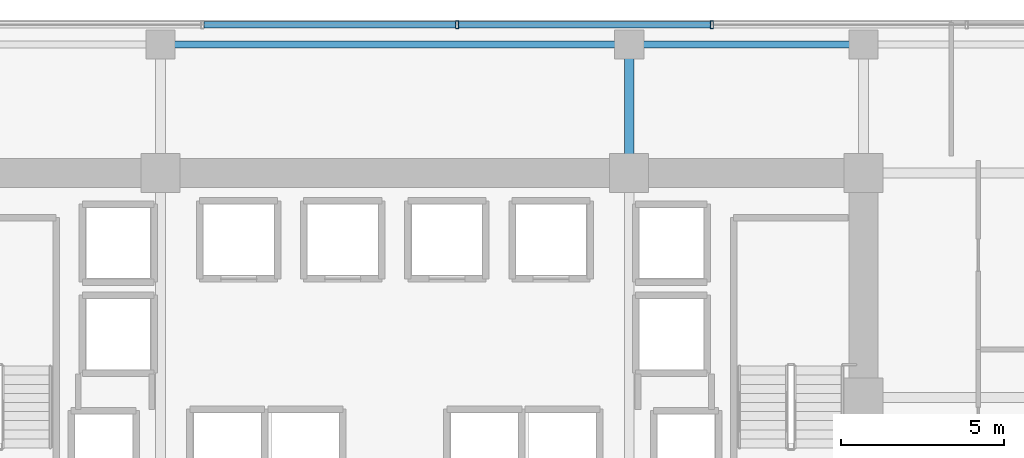
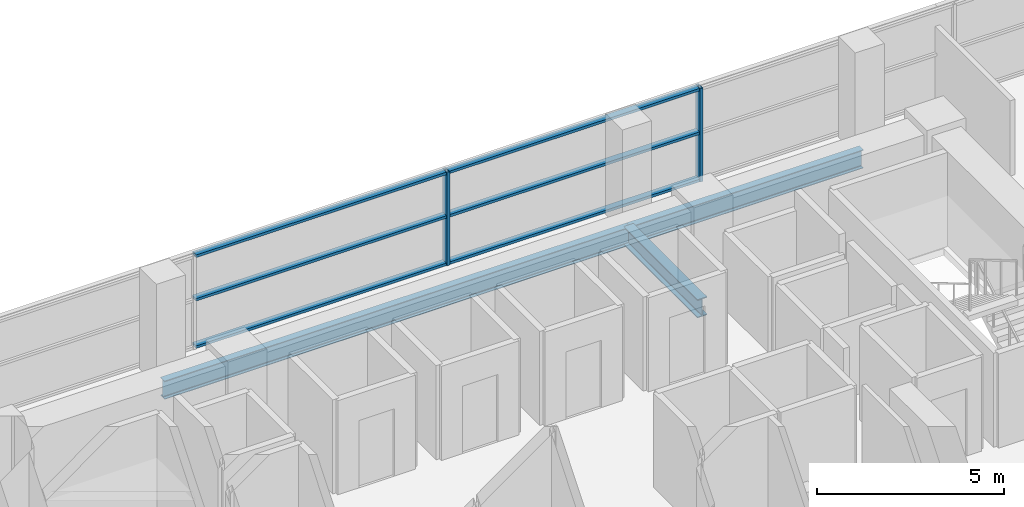
# One storey, part 19 of 31: 8 members, 3 beams, 1 element without a shape of its own.
"""IFC4 building model written with IfcOpenShell, lengths in metres."""

import ifcopenshell
import ifcopenshell.guid

model = None  # the IFC model being written
_history = None  # IfcOwnerHistory: only IFC2X3 demands one
_inside = {}  # id of a spatial element -> (the spatial element, [elements in it])
_under = {}  # id of a project, library or spatial element -> (it, [spatial elements below it])
_declared = {}  # id of a project -> (the project, [libraries it declares])
_typed = {}  # id of a type object -> (the type object, [elements of that type])
_made_of = {}  # id of a material, layer set ... -> (it, [elements and type objects made of it])


def new_model(schema):
    """Start an empty IFC model of exactly this schema.

    Asked for "IFC4X3", IfcOpenShell would pick the latest addendum, in which some entities
    have other attributes; the version numbers below select the first issue.
    IFC2X3 requires an IfcOwnerHistory on every rooted entity: one is made here for all.
    """
    global model, _history
    if schema == "IFC4X3":
        model = ifcopenshell.file(schema_version=(4, 3, 0, 0))
    else:
        model = ifcopenshell.file(schema=schema)
    _inside.clear()
    _under.clear()
    _declared.clear()
    _typed.clear()
    _made_of.clear()
    _history = None
    if model.schema == "IFC2X3":
        org = make("IfcOrganization", Name="unknown")
        user = make(
            "IfcPersonAndOrganization",
            ThePerson=make("IfcPerson", FamilyName="unknown"),
            TheOrganization=org,
        )
        app = make(
            "IfcApplication",
            ApplicationDeveloper=org,
            Version="unknown",
            ApplicationFullName="unknown",
            ApplicationIdentifier="unknown",
        )
        _history = make(
            "IfcOwnerHistory",
            OwningUser=user,
            OwningApplication=app,
            ChangeAction="ADDED",
            CreationDate=0,
        )
    return model


def make(cls, **values):
    """One entity of the class cls with the attributes given. An attribute that is None is left unset."""
    return model.create_entity(
        cls, **{name: value for name, value in values.items() if value is not None}
    )


def rooted(cls, **values):
    """An entity with a GlobalId (a new one), such as an element, a storey or a relation."""
    return make(cls, GlobalId=ifcopenshell.guid.new(), OwnerHistory=_history, **values)


def si_unit(unit_type, name, prefix=None):
    """IfcSIUnit, for example si_unit("LENGTHUNIT", "METRE", prefix="MILLI")."""
    return make("IfcSIUnit", UnitType=unit_type, Prefix=prefix, Name=name)


def assignment(units):
    """IfcUnitAssignment: the units of a project."""
    return None if units is None else make("IfcUnitAssignment", Units=units)


def point(xyz):
    """IfcCartesianPoint."""
    return None if xyz is None else make("IfcCartesianPoint", Coordinates=xyz)


def direction(xyz):
    """IfcDirection."""
    return None if xyz is None else make("IfcDirection", DirectionRatios=xyz)


def frame(location, z_axis=None, x_axis=None):
    """IfcAxis2Placement3D, a coordinate frame: its origin and axes. An axis left out is left unset."""
    return make(
        "IfcAxis2Placement3D",
        Location=point(location),
        Axis=direction(z_axis),
        RefDirection=direction(x_axis),
    )


def frame_2d(location, x_axis=None):
    """IfcAxis2Placement2D, a coordinate frame in the plane: its origin and x axis."""
    return make(
        "IfcAxis2Placement2D", Location=point(location), RefDirection=direction(x_axis)
    )


def origin():
    """The frame at (0, 0, 0) with its axes left unset."""
    return frame((0.0, 0.0, 0.0))


def origin_2d():
    """The frame at (0, 0) in the plane with its x axis left unset."""
    return frame_2d((0.0, 0.0))


def place(relative_to, where):
    """IfcLocalPlacement: puts the frame where relative to a parent placement (None: the world)."""
    return make(
        "IfcLocalPlacement", PlacementRelTo=relative_to, RelativePlacement=where
    )


def context(
    kind, dimensions, precision=None, world=None, true_north=None, identifier=None
):
    """IfcGeometricRepresentationContext, for example the 3D "Model" context."""
    return make(
        "IfcGeometricRepresentationContext",
        ContextIdentifier=identifier,
        ContextType=kind,
        CoordinateSpaceDimension=dimensions,
        Precision=precision,
        WorldCoordinateSystem=world,
        TrueNorth=true_north,
    )


def subcontext(parent, identifier, kind, view, scale=None):
    """IfcGeometricRepresentationSubContext, for example "Body" below "Model"."""
    return make(
        "IfcGeometricRepresentationSubContext",
        ContextIdentifier=identifier,
        ContextType=kind,
        ParentContext=parent,
        TargetScale=scale,
        TargetView=view,
    )


def project(units=None, contexts=None):
    """IfcProject with its units and contexts."""
    return rooted(
        "IfcProject",
        Name="project",
        RepresentationContexts=contexts,
        UnitsInContext=assignment(units),
    )


def spatial(cls, under=None, at=None, **own):
    """A site, building, storey or space (cls), placed at a placement, below another one or the project."""
    s = rooted(cls, ObjectPlacement=at, **own)
    if under is not None:
        _under.setdefault(under.id(), (under, []))[1].append(s)
    return s


def profile(cls, at=None, kind="AREA", **sizes):
    """A parametric profile (cls). Its sizes go by their IFC names, for example OverallWidth=200.0."""
    return make(cls, ProfileType=kind, Position=at, **sizes)


def hollow_rectangle(**sizes):
    """IfcRectangleHollowProfileDef."""
    return profile("IfcRectangleHollowProfileDef", **sizes)


def i_section(**sizes):
    """IfcIShapeProfileDef."""
    return profile("IfcIShapeProfileDef", **sizes)


def extrude(swept, where, along, depth):
    """IfcExtrudedAreaSolid: the profile swept, set in the frame where, extruded along a direction by depth."""
    return make(
        "IfcExtrudedAreaSolid",
        SweptArea=swept,
        Position=where,
        ExtrudedDirection=direction(along),
        Depth=depth,
    )


def shape(context_of_items, identifier, shape_type, items):
    """IfcShapeRepresentation: the items that make up one representation, for example the "Body"."""
    return make(
        "IfcShapeRepresentation",
        ContextOfItems=context_of_items,
        RepresentationIdentifier=identifier,
        RepresentationType=shape_type,
        Items=items,
    )


def source(mapping_origin, context_of_items, identifier, shape_type, items):
    """IfcRepresentationMap: a shape defined once, which mapped items show again and again."""
    return make(
        "IfcRepresentationMap",
        MappingOrigin=mapping_origin,
        MappedRepresentation=shape(context_of_items, identifier, shape_type, items),
    )


def transform(
    local_origin,
    x_axis=None,
    y_axis=None,
    z_axis=None,
    scale=None,
    scale2=None,
    scale3=None,
    uniform=True,
):
    """IfcCartesianTransformationOperator3D, or its non-uniform kind. x_axis, y_axis, z_axis: its Axis1, 2, 3."""
    if uniform:
        return make(
            "IfcCartesianTransformationOperator3D",
            Axis1=direction(x_axis),
            Axis2=direction(y_axis),
            LocalOrigin=point(local_origin),
            Scale=scale,
            Axis3=direction(z_axis),
        )
    return make(
        "IfcCartesianTransformationOperator3DnonUniform",
        Axis1=direction(x_axis),
        Axis2=direction(y_axis),
        LocalOrigin=point(local_origin),
        Scale=scale,
        Axis3=direction(z_axis),
        Scale2=scale2,
        Scale3=scale3,
    )


def mapped(mapping_source, mapping_target):
    """IfcMappedItem: shows the shape of a source again, moved by a transform."""
    return make(
        "IfcMappedItem", MappingSource=mapping_source, MappingTarget=mapping_target
    )


def material(Name=None, Category=None):
    """IfcMaterial."""
    return make("IfcMaterial", Name=Name, Category=Category)


def layer(
    of_material, thickness, ventilated=None, Name=None, Category=None, Priority=None
):
    """IfcMaterialLayer: one layer of a wall or slab, of a material (None: an air gap)."""
    return make(
        "IfcMaterialLayer",
        Material=of_material,
        LayerThickness=thickness,
        IsVentilated=ventilated,
        Name=Name,
        Category=Category,
        Priority=Priority,
    )


def layer_set(layers, Name=None):
    """IfcMaterialLayerSet."""
    return make("IfcMaterialLayerSet", MaterialLayers=layers, LayerSetName=Name)


def material_profile(
    of_material, cross_section, Name=None, Category=None, Priority=None
):
    """IfcMaterialProfile: a cross section and its material."""
    return make(
        "IfcMaterialProfile",
        Name=Name,
        Material=of_material,
        Profile=cross_section,
        Priority=Priority,
        Category=Category,
    )


def profile_set(profiles, Name=None, composite=None):
    """IfcMaterialProfileSet."""
    return make(
        "IfcMaterialProfileSet",
        Name=Name,
        MaterialProfiles=profiles,
        CompositeProfile=composite,
    )


def made_of(thing, what):
    """Note that an element or type object is made of a material, layer set ...; save() writes the relation."""
    if what is not None:
        _made_of.setdefault(what.id(), (what, []))[1].append(thing)
    return thing


def type_object(cls, material=None, **own):
    """A type object (cls), such as IfcWallType, which elements share."""
    return made_of(rooted(cls, **own), material)


def element(
    cls,
    number,
    at=None,
    inside=None,
    cuts=None,
    type_object=None,
    material=None,
    context=None,
    identifier="Body",
    shape_type=None,
    held_by="IfcProductDefinitionShape",
    body=None,
    shapes=None,
    **own,
):
    """One element of the class cls, such as IfcWall. Its Tag is "e" and its number.

    at: its placement. inside: the storey or other place that contains it. cuts: it is an
    opening in that element (IfcRelVoidsElement). A single representation is given by context,
    identifier, shape_type and body (its items); several are given by shapes. held_by: the class
    of the entity that holds the representations. save() writes the other relations.
    """
    e = rooted(cls, Tag="e%d" % number, ObjectPlacement=at, **own)
    if body is not None:
        shapes = [shape(context, identifier, shape_type, body)]
    if shapes is not None:
        e.Representation = make(held_by, Representations=shapes)
    if inside is not None:
        _inside.setdefault(inside.id(), (inside, []))[1].append(e)
    if cuts is not None:
        rooted(
            "IfcRelVoidsElement", RelatingBuildingElement=cuts, RelatedOpeningElement=e
        )
    if type_object is not None:
        _typed.setdefault(type_object.id(), (type_object, []))[1].append(e)
    return made_of(e, material)


def aggregate(whole, parts):
    """IfcRelAggregates: a whole, such as a stair, and the parts it consists of."""
    return rooted("IfcRelAggregates", RelatingObject=whole, RelatedObjects=parts)


def save(model, path):
    """Write the relations noted so far, then the file.

    IfcRelAggregates (storeys below a building ...), IfcRelContainedInSpatialStructure (elements
    in a storey), IfcRelDefinesByType, IfcRelAssociatesMaterial and IfcRelDeclares: one each for
    every whole, place, type object, material and project.
    """
    for whole, parts in _under.values():
        aggregate(whole, parts)
    for where, things in _inside.values():
        rooted(
            "IfcRelContainedInSpatialStructure",
            RelatedElements=things,
            RelatingStructure=where,
        )
    for kind, things in _typed.values():
        rooted("IfcRelDefinesByType", RelatedObjects=things, RelatingType=kind)
    for what, things in _made_of.values():
        rooted("IfcRelAssociatesMaterial", RelatedObjects=things, RelatingMaterial=what)
    for by, libraries in _declared.values():
        rooted("IfcRelDeclares", RelatingContext=by, RelatedDefinitions=libraries)
    model.write(path)


model = new_model("IFC4")

# Units and contexts
model_context = context("Model", 3, precision=1e-05, world=origin(), true_north=direction((0.0, 1.0)))
body_context = subcontext(model_context, "Body", "Model", "MODEL_VIEW")
ifc_project = project(units=[si_unit("LENGTHUNIT", "METRE"), si_unit("AREAUNIT", "SQUARE_METRE"), si_unit("VOLUMEUNIT", "CUBIC_METRE"), si_unit("PLANEANGLEUNIT", "RADIAN"), si_unit("MASSUNIT", "GRAM", prefix="KILO")], contexts=[model_context])

# Site, building, storey
site_placement = place(None, origin())
site = spatial("IfcSite", under=ifc_project, at=site_placement, CompositionType="ELEMENT")
building_placement = place(site_placement, origin())
building = spatial("IfcBuilding", under=site, at=building_placement, Name="Zarnakvel Exchange Tower", CompositionType="ELEMENT")
storey_placement = place(building_placement, frame((0.0, 0.0, 47.199951171875)))
storey = spatial("IfcBuildingStorey", under=building, at=storey_placement, Name="L12", CompositionType="ELEMENT", Elevation=47.199951171875)

# Beams
ifc_material_1 = material(Name="Steel S355", Category="steel")
ifc_material_profile_1 = material_profile(ifc_material_1, i_section(OverallWidth=0.300048828125, OverallDepth=0.60009765625, WebThickness=0.015380859375, FlangeThickness=0.030029296875, FilletRadius=0.027099609375, at=origin_2d()))
ifc_profile_set_1 = profile_set([ifc_material_profile_1], Name="Steel S355")
beam_type_1 = type_object("IfcBeamType", Name="G-04", PredefinedType="BEAM", material=ifc_profile_set_1)
beam_1_placement = place(storey_placement, frame((7.199951171875, 13.5, -0.52490234375), z_axis=(0.0, 1.0, 0.0), x_axis=(-1.0, 0.0, 0.0)))
element("IfcBeam", 1, at=beam_1_placement, inside=storey, type_object=beam_type_1, Name="L12 Tower N-S Frame Beam", PredefinedType="BEAM", context=body_context, shape_type="SweptSolid", body=[
    extrude(i_section(OverallWidth=0.300048828125, OverallDepth=0.60009765625, WebThickness=0.015380859375, FlangeThickness=0.030029296875, FilletRadius=0.027099609375, at=origin_2d()), origin(), (0.0, 0.0, 1.0), 3.949951171875),
])
ifc_material_profile_2 = material_profile(ifc_material_1, i_section(OverallWidth=0.219970703125, OverallDepth=0.60009765625, WebThickness=0.011962890625, FlangeThickness=0.01904296875, FilletRadius=0.02392578125, at=origin_2d()))
ifc_profile_set_2 = profile_set([ifc_material_profile_2], Name="Steel S355")
beam_type_2 = type_object("IfcBeamType", Name="SP-01", PredefinedType="SPANDREL", material=ifc_profile_set_2)
beam_2_placement = place(storey_placement, frame((-7.199951171875, 17.449951171875, -0.52490234375), z_axis=(1.0, 0.0, 0.0), x_axis=(0.0, 1.0, 0.0)))
element("IfcBeam", 2, at=beam_2_placement, inside=storey, type_object=beam_type_2, Name="L12 Tower E-W Frame Beam", PredefinedType="SPANDREL", context=body_context, shape_type="SweptSolid", body=[
    extrude(i_section(OverallWidth=0.219970703125, OverallDepth=0.60009765625, WebThickness=0.011962890625, FlangeThickness=0.01904296875, FilletRadius=0.02392578125, at=origin_2d()), origin(), (0.0, 0.0, 1.0), 14.39990234375),
])
beam_3_placement = place(storey_placement, frame((7.199951171875, 17.449951171875, -0.52490234375), z_axis=(1.0, 0.0, 0.0), x_axis=(0.0, 1.0, 0.0)))
element("IfcBeam", 3, at=beam_3_placement, inside=storey, type_object=beam_type_2, Name="L12 Tower E-W Frame Beam", PredefinedType="SPANDREL", context=body_context, shape_type="SweptSolid", body=[
    extrude(i_section(OverallWidth=0.219970703125, OverallDepth=0.60009765625, WebThickness=0.011962890625, FlangeThickness=0.01904296875, FilletRadius=0.02392578125, at=origin_2d()), origin(), (0.0, 0.0, 1.0), 7.199951171875),
])

# Curtain wall, members
ifc_material_2 = material(Name="Architectural Bronze Anodised Aluminium", Category="aluminium")
ifc_layer = layer(ifc_material_2, 0.239990234375)
ifc_layer_set = layer_set([ifc_layer], Name="Architectural Bronze Anodised Aluminium")
curtain_wall_type = type_object("IfcCurtainWallType", Name="CW-02", PredefinedType="NOTDEFINED", material=ifc_layer_set)
curtain_wall_placement = place(storey_placement, origin())
curtain_wall = element("IfcCurtainWall", 4, at=curtain_wall_placement, inside=storey, type_object=curtain_wall_type, Name="L12 Curtain Wall CW-L12-N1 (CW-02)", PredefinedType="NOTDEFINED")
ifc_material_profile_3 = material_profile(ifc_material_2, hollow_rectangle(XDim=0.199951171875, YDim=0.0849609375, WallThickness=0.0048828125, at=origin_2d()))
ifc_profile_set_3 = profile_set([ifc_material_profile_3], Name="Architectural Bronze Anodised Aluminium")
member_type_1 = type_object("IfcMemberType", Name="CWT-02", PredefinedType="USERDEFINED", material=ifc_profile_set_3)
shared_shape_1 = source(origin(), body_context, "Body", "SweptSolid", [
    extrude(hollow_rectangle(XDim=0.199951171875, YDim=0.0849609375, WallThickness=0.0048828125, at=origin_2d()), origin(), (0.0, 0.0, 1.0), 7.738525390625),
])
member_1_placement = place(storey_placement, frame((1.959228515625, 18.06005859375, 0.04248046875), z_axis=(1.0, 0.0, 0.0), x_axis=(0.0, 1.0, 0.0)))
member_1 = element("IfcMember", 5, at=member_1_placement, type_object=member_type_1, Name="CW-02 transom 5.1", ObjectType="TRANSOM", PredefinedType="USERDEFINED", context=body_context, shape_type="MappedRepresentation", body=[
    mapped(shared_shape_1, transform((0.0, 0.0, 0.0), x_axis=(1.0, 0.0, 0.0), y_axis=(0.0, 1.0, 0.0), z_axis=(0.0, 0.0, 1.0), scale=1.0)),
])
member_2_placement = place(storey_placement, frame((1.959228515625, 18.06005859375, 1.588623046875), z_axis=(1.0, 0.0, 0.0), x_axis=(0.0, 1.0, 0.0)))
member_2 = element("IfcMember", 6, at=member_2_placement, type_object=member_type_1, Name="CW-02 transom 5.2", ObjectType="TRANSOM", PredefinedType="USERDEFINED", context=body_context, shape_type="MappedRepresentation", body=[
    mapped(shared_shape_1, transform((0.0, 0.0, 0.0), x_axis=(1.0, 0.0, 0.0), y_axis=(0.0, 1.0, 0.0), z_axis=(0.0, 0.0, 1.0), scale=1.0)),
])
member_3_placement = place(storey_placement, frame((1.959228515625, 18.06005859375, 3.012451171875), z_axis=(1.0, 0.0, 0.0), x_axis=(0.0, 1.0, 0.0)))
member_3 = element("IfcMember", 7, at=member_3_placement, type_object=member_type_1, Name="CW-02 transom 5.3", ObjectType="TRANSOM", PredefinedType="USERDEFINED", context=body_context, shape_type="MappedRepresentation", body=[
    mapped(shared_shape_1, transform((0.0, 0.0, 0.0), x_axis=(1.0, 0.0, 0.0), y_axis=(0.0, 1.0, 0.0), z_axis=(0.0, 0.0, 1.0), scale=1.0)),
])
shared_shape_2 = source(origin(), body_context, "Body", "SweptSolid", [
    extrude(hollow_rectangle(XDim=0.199951171875, YDim=0.0849609375, WallThickness=0.0048828125, at=origin_2d()), origin(), (0.0, 0.0, 1.0), 7.73876953125),
])
member_4_placement = place(storey_placement, frame((-5.869384765625, 18.06005859375, 0.04248046875), z_axis=(1.0, 0.0, 0.0), x_axis=(0.0, 1.0, 0.0)))
member_4 = element("IfcMember", 8, at=member_4_placement, type_object=member_type_1, Name="CW-02 transom 4.1", ObjectType="TRANSOM", PredefinedType="USERDEFINED", context=body_context, shape_type="MappedRepresentation", body=[
    mapped(shared_shape_2, transform((0.0, 0.0, 0.0), x_axis=(1.0, 0.0, 0.0), y_axis=(0.0, 1.0, 0.0), z_axis=(0.0, 0.0, 1.0), scale=1.0)),
])
member_5_placement = place(storey_placement, frame((-5.869384765625, 18.06005859375, 1.588623046875), z_axis=(1.0, 0.0, 0.0), x_axis=(0.0, 1.0, 0.0)))
member_5 = element("IfcMember", 9, at=member_5_placement, type_object=member_type_1, Name="CW-02 transom 4.2", ObjectType="TRANSOM", PredefinedType="USERDEFINED", context=body_context, shape_type="MappedRepresentation", body=[
    mapped(shared_shape_2, transform((0.0, 0.0, 0.0), x_axis=(1.0, 0.0, 0.0), y_axis=(0.0, 1.0, 0.0), z_axis=(0.0, 0.0, 1.0), scale=1.0)),
])
member_6_placement = place(storey_placement, frame((-5.869384765625, 18.06005859375, 3.012451171875), z_axis=(1.0, 0.0, 0.0), x_axis=(0.0, 1.0, 0.0)))
member_6 = element("IfcMember", 10, at=member_6_placement, type_object=member_type_1, Name="CW-02 transom 4.3", ObjectType="TRANSOM", PredefinedType="USERDEFINED", context=body_context, shape_type="MappedRepresentation", body=[
    mapped(shared_shape_2, transform((0.0, 0.0, 0.0), x_axis=(1.0, 0.0, 0.0), y_axis=(0.0, 1.0, 0.0), z_axis=(0.0, 0.0, 1.0), scale=1.0)),
])
ifc_material_profile_4 = material_profile(ifc_material_2, hollow_rectangle(XDim=0.239990234375, YDim=0.090087890625, WallThickness=0.006103515625, at=origin_2d()))
ifc_profile_set_4 = profile_set([ifc_material_profile_4], Name="Architectural Bronze Anodised Aluminium")
member_type_2 = type_object("IfcMemberType", Name="CWM-02", PredefinedType="MULLION", material=ifc_profile_set_4)
shared_shape_3 = source(origin(), body_context, "Body", "SweptSolid", [
    extrude(hollow_rectangle(XDim=0.239990234375, YDim=0.090087890625, WallThickness=0.006103515625, at=origin_2d()), origin(), (0.0, 0.0, 1.0), 3.054931640625),
])
member_7_placement = place(storey_placement, frame((1.914306640625, 18.06005859375, 0.0), z_axis=(0.0, 0.0, 1.0), x_axis=(0.0, 1.0, 0.0)))
member_7 = element("IfcMember", 11, at=member_7_placement, type_object=member_type_2, Name="CW-02 mullion 5", PredefinedType="MULLION", context=body_context, shape_type="MappedRepresentation", body=[
    mapped(shared_shape_3, transform((0.0, 0.0, 0.0), x_axis=(1.0, 0.0, 0.0), y_axis=(0.0, 1.0, 0.0), z_axis=(0.0, 0.0, 1.0), scale=1.0)),
])
member_8_placement = place(storey_placement, frame((9.742919921875, 18.06005859375, 0.0), z_axis=(0.0, 0.0, 1.0), x_axis=(0.0, 1.0, 0.0)))
member_8 = element("IfcMember", 12, at=member_8_placement, type_object=member_type_2, Name="CW-02 mullion 6", PredefinedType="MULLION", context=body_context, shape_type="MappedRepresentation", body=[
    mapped(shared_shape_3, transform((0.0, 0.0, 0.0), x_axis=(1.0, 0.0, 0.0), y_axis=(0.0, 1.0, 0.0), z_axis=(0.0, 0.0, 1.0), scale=1.0)),
])
aggregate(curtain_wall, [member_7, member_8, member_4, member_5, member_6, member_1, member_2, member_3])

save(model, "model.ifc")
